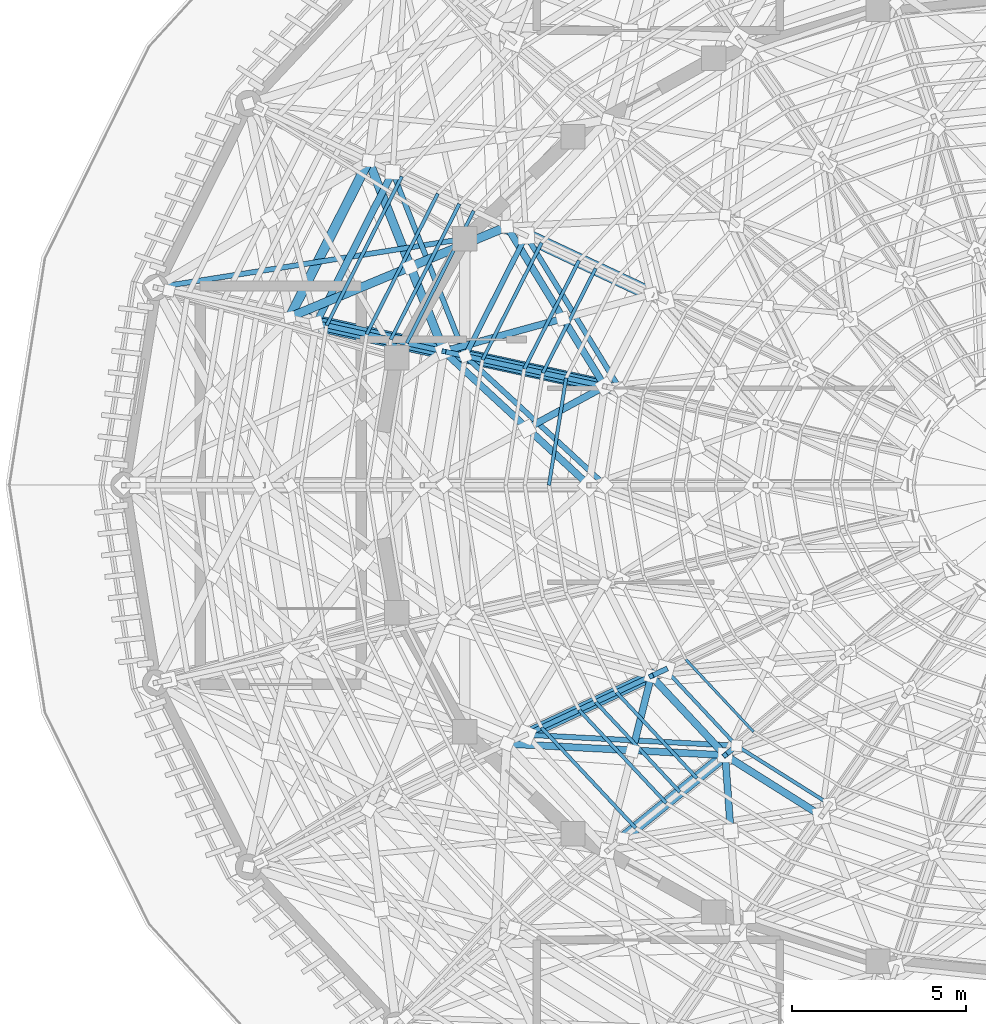
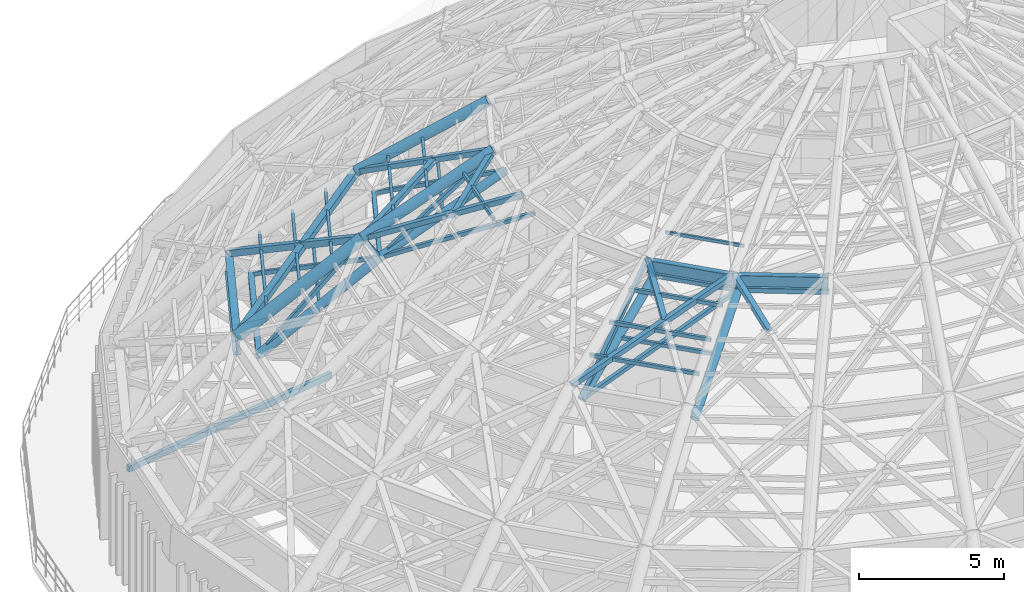
# One storey, part 8 of 50: 45 members, 3 beams.
"""IFC4 building model written with IfcOpenShell, lengths in metres."""

import ifcopenshell
import ifcopenshell.guid

model = None  # the IFC model being written
_history = None  # IfcOwnerHistory: only IFC2X3 demands one
_inside = {}  # id of a spatial element -> (the spatial element, [elements in it])
_under = {}  # id of a project, library or spatial element -> (it, [spatial elements below it])
_declared = {}  # id of a project -> (the project, [libraries it declares])
_typed = {}  # id of a type object -> (the type object, [elements of that type])
_made_of = {}  # id of a material, layer set ... -> (it, [elements and type objects made of it])


def new_model(schema):
    """Start an empty IFC model of exactly this schema.

    Asked for "IFC4X3", IfcOpenShell would pick the latest addendum, in which some entities
    have other attributes; the version numbers below select the first issue.
    IFC2X3 requires an IfcOwnerHistory on every rooted entity: one is made here for all.
    """
    global model, _history
    if schema == "IFC4X3":
        model = ifcopenshell.file(schema_version=(4, 3, 0, 0))
    else:
        model = ifcopenshell.file(schema=schema)
    _inside.clear()
    _under.clear()
    _declared.clear()
    _typed.clear()
    _made_of.clear()
    _history = None
    if model.schema == "IFC2X3":
        org = make("IfcOrganization", Name="unknown")
        user = make(
            "IfcPersonAndOrganization",
            ThePerson=make("IfcPerson", FamilyName="unknown"),
            TheOrganization=org,
        )
        app = make(
            "IfcApplication",
            ApplicationDeveloper=org,
            Version="unknown",
            ApplicationFullName="unknown",
            ApplicationIdentifier="unknown",
        )
        _history = make(
            "IfcOwnerHistory",
            OwningUser=user,
            OwningApplication=app,
            ChangeAction="ADDED",
            CreationDate=0,
        )
    return model


def make(cls, **values):
    """One entity of the class cls with the attributes given. An attribute that is None is left unset."""
    return model.create_entity(
        cls, **{name: value for name, value in values.items() if value is not None}
    )


def rooted(cls, **values):
    """An entity with a GlobalId (a new one), such as an element, a storey or a relation."""
    return make(cls, GlobalId=ifcopenshell.guid.new(), OwnerHistory=_history, **values)


def si_unit(unit_type, name, prefix=None):
    """IfcSIUnit, for example si_unit("LENGTHUNIT", "METRE", prefix="MILLI")."""
    return make("IfcSIUnit", UnitType=unit_type, Prefix=prefix, Name=name)


def assignment(units):
    """IfcUnitAssignment: the units of a project."""
    return None if units is None else make("IfcUnitAssignment", Units=units)


def point(xyz):
    """IfcCartesianPoint."""
    return None if xyz is None else make("IfcCartesianPoint", Coordinates=xyz)


def direction(xyz):
    """IfcDirection."""
    return None if xyz is None else make("IfcDirection", DirectionRatios=xyz)


def frame(location, z_axis=None, x_axis=None):
    """IfcAxis2Placement3D, a coordinate frame: its origin and axes. An axis left out is left unset."""
    return make(
        "IfcAxis2Placement3D",
        Location=point(location),
        Axis=direction(z_axis),
        RefDirection=direction(x_axis),
    )


def frame_2d(location, x_axis=None):
    """IfcAxis2Placement2D, a coordinate frame in the plane: its origin and x axis."""
    return make(
        "IfcAxis2Placement2D", Location=point(location), RefDirection=direction(x_axis)
    )


def origin():
    """The frame at (0, 0, 0) with its axes left unset."""
    return frame((0.0, 0.0, 0.0))


def origin_2d():
    """The frame at (0, 0) in the plane with its x axis left unset."""
    return frame_2d((0.0, 0.0))


def place(relative_to, where):
    """IfcLocalPlacement: puts the frame where relative to a parent placement (None: the world)."""
    return make(
        "IfcLocalPlacement", PlacementRelTo=relative_to, RelativePlacement=where
    )


def context(
    kind, dimensions, precision=None, world=None, true_north=None, identifier=None
):
    """IfcGeometricRepresentationContext, for example the 3D "Model" context."""
    return make(
        "IfcGeometricRepresentationContext",
        ContextIdentifier=identifier,
        ContextType=kind,
        CoordinateSpaceDimension=dimensions,
        Precision=precision,
        WorldCoordinateSystem=world,
        TrueNorth=true_north,
    )


def subcontext(parent, identifier, kind, view, scale=None):
    """IfcGeometricRepresentationSubContext, for example "Body" below "Model"."""
    return make(
        "IfcGeometricRepresentationSubContext",
        ContextIdentifier=identifier,
        ContextType=kind,
        ParentContext=parent,
        TargetScale=scale,
        TargetView=view,
    )


def project(units=None, contexts=None):
    """IfcProject with its units and contexts."""
    return rooted(
        "IfcProject",
        Name="project",
        RepresentationContexts=contexts,
        UnitsInContext=assignment(units),
    )


def spatial(cls, under=None, at=None, **own):
    """A site, building, storey or space (cls), placed at a placement, below another one or the project."""
    s = rooted(cls, ObjectPlacement=at, **own)
    if under is not None:
        _under.setdefault(under.id(), (under, []))[1].append(s)
    return s


def profile(cls, at=None, kind="AREA", **sizes):
    """A parametric profile (cls). Its sizes go by their IFC names, for example OverallWidth=200.0."""
    return make(cls, ProfileType=kind, Position=at, **sizes)


def hollow_rectangle(**sizes):
    """IfcRectangleHollowProfileDef."""
    return profile("IfcRectangleHollowProfileDef", **sizes)


def hollow_circle(**sizes):
    """IfcCircleHollowProfileDef."""
    return profile("IfcCircleHollowProfileDef", **sizes)


def i_section(**sizes):
    """IfcIShapeProfileDef."""
    return profile("IfcIShapeProfileDef", **sizes)


def extrude(swept, where, along, depth):
    """IfcExtrudedAreaSolid: the profile swept, set in the frame where, extruded along a direction by depth."""
    return make(
        "IfcExtrudedAreaSolid",
        SweptArea=swept,
        Position=where,
        ExtrudedDirection=direction(along),
        Depth=depth,
    )


def shape(context_of_items, identifier, shape_type, items):
    """IfcShapeRepresentation: the items that make up one representation, for example the "Body"."""
    return make(
        "IfcShapeRepresentation",
        ContextOfItems=context_of_items,
        RepresentationIdentifier=identifier,
        RepresentationType=shape_type,
        Items=items,
    )


def material(Name=None, Category=None):
    """IfcMaterial."""
    return make("IfcMaterial", Name=Name, Category=Category)


def material_profile(
    of_material, cross_section, Name=None, Category=None, Priority=None
):
    """IfcMaterialProfile: a cross section and its material."""
    return make(
        "IfcMaterialProfile",
        Name=Name,
        Material=of_material,
        Profile=cross_section,
        Priority=Priority,
        Category=Category,
    )


def profile_set(profiles, Name=None, composite=None):
    """IfcMaterialProfileSet."""
    return make(
        "IfcMaterialProfileSet",
        Name=Name,
        MaterialProfiles=profiles,
        CompositeProfile=composite,
    )


def made_of(thing, what):
    """Note that an element or type object is made of a material, layer set ...; save() writes the relation."""
    if what is not None:
        _made_of.setdefault(what.id(), (what, []))[1].append(thing)
    return thing


def type_object(cls, material=None, **own):
    """A type object (cls), such as IfcWallType, which elements share."""
    return made_of(rooted(cls, **own), material)


def element(
    cls,
    number,
    at=None,
    inside=None,
    cuts=None,
    type_object=None,
    material=None,
    context=None,
    identifier="Body",
    shape_type=None,
    held_by="IfcProductDefinitionShape",
    body=None,
    shapes=None,
    **own,
):
    """One element of the class cls, such as IfcWall. Its Tag is "e" and its number.

    at: its placement. inside: the storey or other place that contains it. cuts: it is an
    opening in that element (IfcRelVoidsElement). A single representation is given by context,
    identifier, shape_type and body (its items); several are given by shapes. held_by: the class
    of the entity that holds the representations. save() writes the other relations.
    """
    e = rooted(cls, Tag="e%d" % number, ObjectPlacement=at, **own)
    if body is not None:
        shapes = [shape(context, identifier, shape_type, body)]
    if shapes is not None:
        e.Representation = make(held_by, Representations=shapes)
    if inside is not None:
        _inside.setdefault(inside.id(), (inside, []))[1].append(e)
    if cuts is not None:
        rooted(
            "IfcRelVoidsElement", RelatingBuildingElement=cuts, RelatedOpeningElement=e
        )
    if type_object is not None:
        _typed.setdefault(type_object.id(), (type_object, []))[1].append(e)
    return made_of(e, material)


def aggregate(whole, parts):
    """IfcRelAggregates: a whole, such as a stair, and the parts it consists of."""
    return rooted("IfcRelAggregates", RelatingObject=whole, RelatedObjects=parts)


def save(model, path):
    """Write the relations noted so far, then the file.

    IfcRelAggregates (storeys below a building ...), IfcRelContainedInSpatialStructure (elements
    in a storey), IfcRelDefinesByType, IfcRelAssociatesMaterial and IfcRelDeclares: one each for
    every whole, place, type object, material and project.
    """
    for whole, parts in _under.values():
        aggregate(whole, parts)
    for where, things in _inside.values():
        rooted(
            "IfcRelContainedInSpatialStructure",
            RelatedElements=things,
            RelatingStructure=where,
        )
    for kind, things in _typed.values():
        rooted("IfcRelDefinesByType", RelatedObjects=things, RelatingType=kind)
    for what, things in _made_of.values():
        rooted("IfcRelAssociatesMaterial", RelatedObjects=things, RelatingMaterial=what)
    for by, libraries in _declared.values():
        rooted("IfcRelDeclares", RelatingContext=by, RelatedDefinitions=libraries)
    model.write(path)


model = new_model("IFC4")

# Units and contexts
model_context = context("Model", 3, precision=1e-05, world=origin(), true_north=direction((0.0, 1.0)))
body_context = subcontext(model_context, "Body", "Model", "MODEL_VIEW")
ifc_project = project(units=[si_unit("LENGTHUNIT", "METRE"), si_unit("AREAUNIT", "SQUARE_METRE"), si_unit("VOLUMEUNIT", "CUBIC_METRE"), si_unit("PLANEANGLEUNIT", "RADIAN"), si_unit("MASSUNIT", "GRAM", prefix="KILO")], contexts=[model_context])

# Site, building, storey
site_placement = place(None, origin())
site = spatial("IfcSite", under=ifc_project, at=site_placement, CompositionType="ELEMENT")
building_placement = place(site_placement, origin())
building = spatial("IfcBuilding", under=site, at=building_placement, Name="Cinderbank Siding Concert Hall", CompositionType="ELEMENT")
storey_placement = place(building_placement, frame((0.0, 0.0, 23.699951171875)))
storey = spatial("IfcBuildingStorey", under=building, at=storey_placement, Name="L06", CompositionType="ELEMENT", Elevation=23.699951171875)

# Beams
ifc_material_1 = material(Name="Structural steel AS/NZS 3679.1 Grade 350 (340 MPa)", Category="steel")
ifc_material_profile_1 = material_profile(ifc_material_1, i_section(OverallWidth=0.208984375, OverallDepth=0.532958984375, WebThickness=0.01025390625, FlangeThickness=0.015625, at=origin_2d()), Name="530UB92.4", Category="LoadBearing")
ifc_profile_set_1 = profile_set([ifc_material_profile_1], Name="Structural steel AS/NZS 3679.1 Grade 350 (340 MPa)")
beam_type_1 = type_object("IfcBeamType", Name="BM-UB530H 530UB92.4", PredefinedType="BEAM", material=ifc_profile_set_1)
beam_1_placement = place(storey_placement, frame((110.395263671875, 38.5, 13.733642578125), z_axis=(0.682867530153, -0.730542220726, 0.0), x_axis=(0.730542220726, 0.682867530153, 0.0)))
element("IfcBeam", 1, at=beam_1_placement, inside=storey, type_object=beam_type_1, Name="L06 Beam BM-UB530H #2084", PredefinedType="BEAM", context=body_context, shape_type="SweptSolid", body=[
    extrude(i_section(OverallWidth=0.208984375, OverallDepth=0.532958984375, WebThickness=0.01025390625, FlangeThickness=0.015625, at=origin_2d()), origin(), (0.0, 0.0, 1.0), 3.11865234375),
])
beam_2_placement = place(storey_placement, frame((112.52490234375, 36.2216796875, 13.733642578125), z_axis=(0.846132136799, -0.532973176694, 0.0), x_axis=(0.532973176694, 0.846132136799, 0.0)))
element("IfcBeam", 2, at=beam_2_placement, inside=storey, type_object=beam_type_1, Name="L06 Beam BM-UB530H #2085", PredefinedType="BEAM", context=body_context, shape_type="SweptSolid", body=[
    extrude(i_section(OverallWidth=0.208984375, OverallDepth=0.532958984375, WebThickness=0.01025390625, FlangeThickness=0.015625, at=origin_2d()), origin(), (0.0, 0.0, 1.0), 3.27978515625),
])
ifc_material_2 = material(Name="Structural steel welded plate section AS/NZS 3679.2 / AS/NZS 3678 Grade 350 (340 MPa)", Category="steel")
ifc_material_profile_2 = material_profile(ifc_material_2, i_section(OverallWidth=0.27490234375, OverallDepth=0.800048828125, WebThickness=0.010009765625, FlangeThickness=0.01611328125, at=origin_2d()), Name="800WB146", Category="LoadBearing")
ifc_profile_set_2 = profile_set([ifc_material_profile_2], Name="Structural steel welded plate section AS/NZS 3679.2 / AS/NZS 3678 Grade 350 (340 MPa)")
beam_type_2 = type_object("IfcBeamType", Name="BM-WB800 800WB146", PredefinedType="BEAM", material=ifc_profile_set_2)
beam_3_placement = place(storey_placement, frame((102.254638671875, 53.35009765625, 7.699951171875), z_axis=(-0.450804825768, -0.892622545685, 0.0), x_axis=(0.892622545685, -0.450804825768, 0.0)))
element("IfcBeam", 3, at=beam_3_placement, inside=storey, type_object=beam_type_2, Name="L06 Beam BM-WB800 #2043", PredefinedType="BEAM", context=body_context, shape_type="SweptSolid", body=[
    extrude(i_section(OverallWidth=0.27490234375, OverallDepth=0.800048828125, WebThickness=0.010009765625, FlangeThickness=0.01611328125, at=origin_2d()), origin(), (0.0, 0.0, 1.0), 5.052734375),
])

# Members
ifc_material_3 = material(Name="Structural steel hollow section AS/NZS 1163 Grade C350L0 (350 MPa)", Category="steel")
ifc_material_profile_3 = material_profile(ifc_material_3, hollow_rectangle(XDim=0.14990234375, YDim=0.14990234375, WallThickness=0.008056640625, at=origin_2d()), Name="150x150x8.0SHS", Category="LoadBearing")
ifc_profile_set_3 = profile_set([ifc_material_profile_3], Name="Structural steel hollow section AS/NZS 1163 Grade C350L0 (350 MPa)")
member_type_1 = type_object("IfcMemberType", Name="BR-SHS150 150x150x8.0SHS Roof Truss", PredefinedType="BRACE", material=ifc_profile_set_3)
member_1_placement = place(storey_placement, frame((102.94580078125, 53.022705078125, 7.150146484375), z_axis=(0.319742572915, -0.811180071069, 0.489644339666), x_axis=(0.930335319944, 0.366709956866, 0.0)))
element("IfcMember", 4, at=member_1_placement, inside=storey, type_object=member_type_1, Name="L06 Diagonal Brace BR-SHS150 #DBRI-BR-SHS150-L06-0947", PredefinedType="BRACE", context=body_context, shape_type="SweptSolid", body=[
    extrude(hollow_rectangle(XDim=0.14990234375, YDim=0.14990234375, WallThickness=0.008056640625, at=origin_2d()), origin(), (0.0, 0.0, 1.0), 6.53515625),
])
member_2_placement = place(storey_placement, frame((100.747802734375, 48.67041015625, 7.150146484375), z_axis=(0.655669606354, -0.145326583405, 0.740930193378), x_axis=(0.216394383414, 0.976306033387, 0.0)))
element("IfcMember", 5, at=member_2_placement, inside=storey, type_object=member_type_1, Name="L06 Diagonal Brace BR-SHS150 #DWBD-BR-SHS150-L06-0950", PredefinedType="BRACE", context=body_context, shape_type="SweptSolid", body=[
    extrude(hollow_rectangle(XDim=0.14990234375, YDim=0.14990234375, WallThickness=0.008056640625, at=origin_2d()), origin(), (0.0, 0.0, 1.0), 5.600830078125),
])
member_3_placement = place(storey_placement, frame((106.7900390625, 51.189208984375, 10.35009765625), z_axis=(0.4635618095, -0.757163440348, 0.460232520986), x_axis=(0.85285513817, 0.522147597234, 0.0)))
element("IfcMember", 6, at=member_3_placement, inside=storey, type_object=member_type_1, Name="L06 Diagonal Brace BR-SHS150 #DBRI-BR-SHS150-L06-1235", PredefinedType="BRACE", context=body_context, shape_type="SweptSolid", body=[
    extrude(hollow_rectangle(XDim=0.14990234375, YDim=0.14990234375, WallThickness=0.008056640625, at=origin_2d()), origin(), (0.0, 0.0, 1.0), 5.866455078125),
])
member_4_placement = place(storey_placement, frame((105.035400390625, 47.721435546875, 10.35009765625), z_axis=(0.731050843587, -0.158983918507, 0.663542596784), x_axis=(0.212505996554, 0.97715976249, 0.0)))
element("IfcMember", 7, at=member_4_placement, inside=storey, type_object=member_type_1, Name="L06 Diagonal Brace BR-SHS150 #DWBD-BR-SHS150-L06-1238", PredefinedType="BRACE", context=body_context, shape_type="SweptSolid", body=[
    extrude(hollow_rectangle(XDim=0.14990234375, YDim=0.14990234375, WallThickness=0.008056640625, at=origin_2d()), origin(), (0.0, 0.0, 1.0), 5.500732421875),
])
member_5_placement = place(storey_placement, frame((105.035400390625, 47.721435546875, 10.35009765625), z_axis=(-0.539773108895, 0.118450210008, 0.833435383616), x_axis=(-0.214344160509, -0.976758199789, 0.0)))
element("IfcMember", 8, at=member_5_placement, inside=storey, type_object=member_type_1, Name="L06 Diagonal Brace BR-SHS150 #DWBV-BR-SHS150-L06-1241", PredefinedType="BRACE", context=body_context, shape_type="SweptSolid", body=[
    extrude(hollow_rectangle(XDim=0.14990234375, YDim=0.14990234375, WallThickness=0.008056640625, at=origin_2d()), origin(), (0.0, 0.0, 1.0), 1.139892578125),
])
member_6_placement = place(storey_placement, frame((105.035400390625, 47.721435546875, 10.35009765625), z_axis=(0.659495450342, -0.608442631011, 0.441433251745), x_axis=(0.678086078663, 0.734982496338, 0.0)))
element("IfcMember", 9, at=member_6_placement, inside=storey, type_object=member_type_1, Name="L06 Diagonal Brace BR-SHS150 #DBRI-BR-SHS150-L06-1247", PredefinedType="BRACE", context=body_context, shape_type="SweptSolid", body=[
    extrude(hollow_rectangle(XDim=0.14990234375, YDim=0.14990234375, WallThickness=0.008056640625, at=origin_2d()), origin(), (0.0, 0.0, 1.0), 6.1162109375),
])
member_7_placement = place(storey_placement, frame((106.7900390625, 36.810791015625, 10.35009765625), z_axis=(0.667487033286, 0.312747530528, 0.675758864199), x_axis=(-0.424281475466, 0.905530358175, 0.0)))
element("IfcMember", 10, at=member_7_placement, inside=storey, type_object=member_type_1, Name="L06 Diagonal Brace BR-SHS150 #DWBD-BR-SHS150-L06-1274", PredefinedType="BRACE", context=body_context, shape_type="SweptSolid", body=[
    extrude(hollow_rectangle(XDim=0.14990234375, YDim=0.14990234375, WallThickness=0.008056640625, at=origin_2d()), origin(), (0.0, 0.0, 1.0), 5.401123046875),
])
member_8_placement = place(storey_placement, frame((106.7900390625, 36.810791015625, 10.35009765625), z_axis=(0.912563633328, -0.047633412445, 0.406151047206), x_axis=(0.052126397388, 0.998640495221, 0.0)))
element("IfcMember", 11, at=member_8_placement, inside=storey, type_object=member_type_1, Name="L06 Diagonal Brace BR-SHS150 #DBRI-BR-SHS150-L06-1283", PredefinedType="BRACE", context=body_context, shape_type="SweptSolid", body=[
    extrude(hollow_rectangle(XDim=0.14990234375, YDim=0.14990234375, WallThickness=0.008056640625, at=origin_2d()), origin(), (0.0, 0.0, 1.0), 6.647705078125),
])
member_9_placement = place(storey_placement, frame((110.801513671875, 38.6923828125, 13.050048828125), z_axis=(-0.386561752789, -0.183059291585, 0.903913329388), x_axis=(0.427992952164, -0.903782071574, 0.0)))
element("IfcMember", 12, at=member_9_placement, inside=storey, type_object=member_type_1, Name="L06 Diagonal Brace BR-SHS150 #DWBV-BR-SHS150-L06-1565", PredefinedType="BRACE", context=body_context, shape_type="SweptSolid", body=[
    extrude(hollow_rectangle(XDim=0.14990234375, YDim=0.14990234375, WallThickness=0.008056640625, at=origin_2d()), origin(), (0.0, 0.0, 1.0), 1.051025390625),
])
member_10_placement = place(storey_placement, frame((112.8564453125, 36.494140625, 13.050048828125), z_axis=(-0.318062435065, -0.261382678596, 0.911326167039), x_axis=(0.634909259299, -0.772586715169, 0.0)))
element("IfcMember", 13, at=member_10_placement, inside=storey, type_object=member_type_1, Name="L06 Diagonal Brace BR-SHS150 #DWBV-BR-SHS150-L06-1577", PredefinedType="BRACE", context=body_context, shape_type="SweptSolid", body=[
    extrude(hollow_rectangle(XDim=0.14990234375, YDim=0.14990234375, WallThickness=0.008056640625, at=origin_2d()), origin(), (0.0, 0.0, 1.0), 1.04248046875),
])
ifc_material_profile_4 = material_profile(ifc_material_3, hollow_rectangle(XDim=0.199951171875, YDim=0.199951171875, WallThickness=0.009033203125, at=origin_2d()), Name="200x200x9.0SHS", Category="LoadBearing")
ifc_profile_set_4 = profile_set([ifc_material_profile_4], Name="Structural steel hollow section AS/NZS 1163 Grade C350L0 (350 MPa)")
member_type_2 = type_object("IfcMemberType", Name="BR-SHS200 200x200x9.0SHS Roof Truss", PredefinedType="BRACE", material=ifc_profile_set_4)
member_11_placement = place(storey_placement, frame((106.23828125, 51.449951171875, 11.300048828125), z_axis=(0.467005448896, -0.762727021266, 0.447385070976), x_axis=(0.852836504456, 0.522178031582, 0.0)))
element("IfcMember", 14, at=member_11_placement, inside=storey, type_object=member_type_2, Name="L06 Diagonal Brace BR-SHS200 #DBRO-BR-SHS200-L06-1233", PredefinedType="BRACE", context=body_context, shape_type="SweptSolid", body=[
    extrude(hollow_rectangle(XDim=0.199951171875, YDim=0.199951171875, WallThickness=0.009033203125, at=origin_2d()), origin(), (0.0, 0.0, 1.0), 6.034912109375),
])
member_12_placement = place(storey_placement, frame((104.420166015625, 47.8564453125, 11.300048828125), z_axis=(0.883924074417, 0.243109044486, 0.399469927723), x_axis=(-0.26518682948, 0.964197047014, 0.0)))
element("IfcMember", 15, at=member_12_placement, inside=storey, type_object=member_type_2, Name="L06 Diagonal Brace BR-SHS200 #DBRO-BR-SHS200-L06-1234", PredefinedType="BRACE", context=body_context, shape_type="SweptSolid", body=[
    extrude(hollow_rectangle(XDim=0.199951171875, YDim=0.199951171875, WallThickness=0.009033203125, at=origin_2d()), origin(), (0.0, 0.0, 1.0), 3.87548828125),
])
member_13_placement = place(storey_placement, frame((104.420166015625, 47.8564453125, 11.300048828125), z_axis=(0.663951990184, -0.612568520352, 0.428867768205), x_axis=(0.678094653036, 0.734974585631, 0.0)))
element("IfcMember", 16, at=member_13_placement, inside=storey, type_object=member_type_2, Name="L06 Diagonal Brace BR-SHS200 #DBRO-BR-SHS200-L06-1245", PredefinedType="BRACE", context=body_context, shape_type="SweptSolid", body=[
    extrude(hollow_rectangle(XDim=0.199951171875, YDim=0.199951171875, WallThickness=0.009033203125, at=origin_2d()), origin(), (0.0, 0.0, 1.0), 6.295654296875),
])
member_14_placement = place(storey_placement, frame((106.83642578125, 45.64453125, 12.859619140625), z_axis=(0.801382165454, 0.434001227718, 0.411618220237), x_axis=(-0.476214618135, 0.879329083719, 0.0)))
element("IfcMember", 17, at=member_14_placement, inside=storey, type_object=member_type_2, Name="L06 Diagonal Brace BR-SHS200 #DBRO-BR-SHS200-L06-1246-S116", PredefinedType="BRACE", context=body_context, shape_type="SweptSolid", body=[
    extrude(hollow_rectangle(XDim=0.199951171875, YDim=0.199951171875, WallThickness=0.009033203125, at=origin_2d()), origin(), (0.0, 0.0, 1.0), 2.7705078125),
])
member_15_placement = place(storey_placement, frame((106.23828125, 36.550048828125, 11.300048828125), z_axis=(0.91778749702, -0.047938803242, 0.394167453575), x_axis=(0.052161901849, 0.998638641349, 0.0)))
element("IfcMember", 18, at=member_15_placement, inside=storey, type_object=member_type_2, Name="L06 Diagonal Brace BR-SHS200 #DBRO-BR-SHS200-L06-1281", PredefinedType="BRACE", context=body_context, shape_type="SweptSolid", body=[
    extrude(hollow_rectangle(XDim=0.199951171875, YDim=0.199951171875, WallThickness=0.009033203125, at=origin_2d()), origin(), (0.0, 0.0, 1.0), 6.849853515625),
])
member_16_placement = place(storey_placement, frame((109.861572265625, 36.37451171875, 12.8603515625), z_axis=(0.216061860675, 0.860491564059, 0.461380039171), x_axis=(-0.969892965569, 0.243531590022, 0.0)))
element("IfcMember", 19, at=member_16_placement, inside=storey, type_object=member_type_2, Name="L06 Diagonal Brace BR-SHS200 #DBRO-BR-SHS200-L06-1282-S119", PredefinedType="BRACE", context=body_context, shape_type="SweptSolid", body=[
    extrude(hollow_rectangle(XDim=0.199951171875, YDim=0.199951171875, WallThickness=0.009033203125, at=origin_2d()), origin(), (0.0, 0.0, 1.0), 2.469970703125),
])
member_17_placement = place(storey_placement, frame((112.68310546875, 34.059326171875, 12.86083984375), z_axis=(-0.064594301091, 0.882888464146, 0.465118840883), x_axis=(-0.997334323225, -0.072967442864, 0.0)))
element("IfcMember", 20, at=member_17_placement, inside=storey, type_object=member_type_2, Name="L06 Diagonal Brace BR-SHS200 #DBRO-BR-SHS200-L06-1294-S120", PredefinedType="BRACE", context=body_context, shape_type="SweptSolid", body=[
    extrude(hollow_rectangle(XDim=0.199951171875, YDim=0.199951171875, WallThickness=0.009033203125, at=origin_2d()), origin(), (0.0, 0.0, 1.0), 2.44921875),
])
ifc_material_profile_5 = material_profile(ifc_material_3, hollow_rectangle(XDim=0.25, YDim=0.25, WallThickness=0.010009765625, at=origin_2d()), Name="250x250x10.0SHS", Category="LoadBearing")
ifc_profile_set_5 = profile_set([ifc_material_profile_5], Name="Structural steel hollow section AS/NZS 1163 Grade C350L0 (350 MPa)")
member_type_3 = type_object("IfcMemberType", Name="BR-SHS250 250x250x10.0SHS Roof Truss", PredefinedType="BRACE", material=ifc_profile_set_5)
member_18_placement = place(storey_placement, frame((102.254638671875, 53.35009765625, 8.10009765625), z_axis=(0.322426023845, -0.817951565791, 0.476441701752), x_axis=(0.930329758062, 0.366724066928, 0.0)))
element("IfcMember", 21, at=member_18_placement, inside=storey, type_object=member_type_3, Name="L06 Diagonal Brace BR-SHS250 #DBRO-BR-SHS250-L06-0945", PredefinedType="BRACE", context=body_context, shape_type="SweptSolid", body=[
    extrude(hollow_rectangle(XDim=0.25, YDim=0.25, WallThickness=0.010009765625, at=origin_2d()), origin(), (0.0, 0.0, 1.0), 6.71630859375),
])
member_19_placement = place(storey_placement, frame((99.976806640625, 48.83984375, 8.10009765625), z_axis=(0.834800890266, 0.348000061655, 0.426618600976), x_axis=(-0.384772105455, 0.923011607112, 0.0)))
element("IfcMember", 22, at=member_19_placement, inside=storey, type_object=member_type_3, Name="L06 Diagonal Brace BR-SHS250 #DBRO-BR-SHS250-L06-0946", PredefinedType="BRACE", context=body_context, shape_type="SweptSolid", body=[
    extrude(hollow_rectangle(XDim=0.25, YDim=0.25, WallThickness=0.010009765625, at=origin_2d()), origin(), (0.0, 0.0, 1.0), 4.158203125),
])
member_20_placement = place(storey_placement, frame((103.472900390625, 50.297119140625, 9.88671875), z_axis=(0.834786362897, 0.348005756652, 0.426642381461), x_axis=(-0.384783174657, 0.923006992661, 0.0)))
element("IfcMember", 23, at=member_20_placement, inside=storey, type_object=member_type_3, Name="L06 Diagonal Brace BR-SHS250 #DBRO-BR-SHS250-L06-0946-S91", PredefinedType="BRACE", context=body_context, shape_type="SweptSolid", body=[
    extrude(hollow_rectangle(XDim=0.25, YDim=0.25, WallThickness=0.010009765625, at=origin_2d()), origin(), (0.0, 0.0, 1.0), 3.312744140625),
])
ifc_material_profile_6 = material_profile(ifc_material_3, hollow_circle(Radius=0.161865234375, WallThickness=0.0126953125, at=origin_2d()), Name="323.9x12.7CHS", Category="LoadBearing")
ifc_profile_set_6 = profile_set([ifc_material_profile_6], Name="Structural steel hollow section AS/NZS 1163 Grade C350L0 (350 MPa)")
member_type_4 = type_object("IfcMemberType", Name="DR-CHS323 323.9x12.7CHS Roof Truss", PredefinedType="RAFTER", material=ifc_profile_set_6)
member_21_placement = place(storey_placement, frame((105.035400390625, 47.721435546875, 10.35009765625), z_axis=(0.84168436413, -0.183254426109, 0.507922480788), x_axis=(0.212739533532, 0.977108945242, 0.0)))
element("IfcMember", 24, at=member_21_placement, inside=storey, type_object=member_type_4, Name="L06 Roof Truss Member DR-CHS323 #1237", PredefinedType="RAFTER", context=body_context, shape_type="SweptSolid", body=[
    extrude(hollow_circle(Radius=0.161865234375, WallThickness=0.0126953125, at=origin_2d()), origin(), (0.0, 0.0, 1.0), 5.315673828125),
])
member_22_placement = place(storey_placement, frame((106.7900390625, 36.810791015625, 10.35009765625), z_axis=(0.773125439338, 0.362636343557, 0.520357509199), x_axis=(-0.424658323183, 0.905353692516, 0.0)))
element("IfcMember", 25, at=member_22_placement, inside=storey, type_object=member_type_4, Name="L06 Roof Truss Member DR-CHS323 #1273", PredefinedType="RAFTER", context=body_context, shape_type="SweptSolid", body=[
    extrude(hollow_circle(Radius=0.161865234375, WallThickness=0.0126953125, at=origin_2d()), origin(), (0.0, 0.0, 1.0), 5.188720703125),
])
member_23_placement = place(storey_placement, frame((109.5810546875, 33.8330078125, 10.35009765625), z_axis=(0.653777773802, 0.531170075614, 0.53891833635), x_axis=(-0.630575201595, 0.776128156385, 0.0)))
element("IfcMember", 26, at=member_23_placement, inside=storey, type_object=member_type_4, Name="L06 Roof Truss Member DR-CHS323 #1285", PredefinedType="RAFTER", context=body_context, shape_type="SweptSolid", body=[
    extrude(hollow_circle(Radius=0.161865234375, WallThickness=0.0126953125, at=origin_2d()), origin(), (0.0, 0.0, 1.0), 5.010009765625),
])
ifc_material_profile_7 = material_profile(ifc_material_3, hollow_circle(Radius=0.177734375, WallThickness=0.0126953125, at=origin_2d()), Name="355.6x12.7CHS", Category="LoadBearing")
ifc_profile_set_7 = profile_set([ifc_material_profile_7], Name="Structural steel hollow section AS/NZS 1163 Grade C350L0 (350 MPa)")
member_type_5 = type_object("IfcMemberType", Name="DR-CHS355 355.6x12.7CHS Roof Truss", PredefinedType="RAFTER", material=ifc_profile_set_7)
member_24_placement = place(storey_placement, frame((100.747802734375, 48.67041015625, 7.150146484375), z_axis=(0.789093349478, -0.174650145167, 0.58892190705), x_axis=(0.216100368757, 0.976371154133, 0.0)))
element("IfcMember", 27, at=member_24_placement, inside=storey, type_object=member_type_5, Name="L06 Roof Truss Member DR-CHS355 #949", PredefinedType="RAFTER", context=body_context, shape_type="SweptSolid", body=[
    extrude(hollow_circle(Radius=0.177734375, WallThickness=0.0126953125, at=origin_2d()), origin(), (0.0, 0.0, 1.0), 5.43359375),
])
ifc_material_profile_8 = material_profile(ifc_material_3, hollow_circle(Radius=0.203125, WallThickness=0.01611328125, at=origin_2d()), Name="406.4x16.0CHS", Category="LoadBearing")
ifc_profile_set_8 = profile_set([ifc_material_profile_8], Name="Structural steel hollow section AS/NZS 1163 Grade C350L0 (350 MPa)")
member_type_6 = type_object("IfcMemberType", Name="DR-CHS406 406.4x16.0CHS Roof Truss", PredefinedType="RAFTER", material=ifc_profile_set_8)
member_25_placement = place(storey_placement, frame((106.23828125, 51.449951171875, 11.300048828125), z_axis=(0.780421117577, -0.366078784641, 0.506881842913), x_axis=(0.424677707241, 0.905344600124, 0.0)))
element("IfcMember", 28, at=member_25_placement, inside=storey, type_object=member_type_6, Name="L06 Roof Truss Member DR-CHS406 #1224", PredefinedType="RAFTER", context=body_context, shape_type="SweptSolid", body=[
    extrude(hollow_circle(Radius=0.203125, WallThickness=0.01611328125, at=origin_2d()), origin(), (0.0, 0.0, 1.0), 5.32666015625),
])
member_26_placement = place(storey_placement, frame((104.420166015625, 47.8564453125, 11.300048828125), z_axis=(0.849254264776, -0.18491213653, 0.494544937821), x_axis=(0.212750040998, 0.977106657461, 0.0)))
element("IfcMember", 29, at=member_26_placement, inside=storey, type_object=member_type_6, Name="L06 Roof Truss Member DR-CHS406 #1236", PredefinedType="RAFTER", context=body_context, shape_type="SweptSolid", body=[
    extrude(hollow_circle(Radius=0.203125, WallThickness=0.01611328125, at=origin_2d()), origin(), (0.0, 0.0, 1.0), 5.45947265625),
])
ifc_material_profile_9 = material_profile(ifc_material_3, hollow_circle(Radius=0.228515625, WallThickness=0.01611328125, at=origin_2d()), Name="457.0x16.0CHS", Category="LoadBearing")
ifc_profile_set_9 = profile_set([ifc_material_profile_9], Name="Structural steel hollow section AS/NZS 1163 Grade C350L0 (350 MPa)")
member_type_7 = type_object("IfcMemberType", Name="DR-CHS457 457.0x16.0CHS Roof Truss", PredefinedType="RAFTER", material=ifc_profile_set_9)
member_27_placement = place(storey_placement, frame((99.976806640625, 48.83984375, 8.10009765625), z_axis=(0.79869265842, -0.17676560594, 0.575190366698), x_axis=(0.216089698952, 0.976373515621, 0.0)))
element("IfcMember", 30, at=member_27_placement, inside=storey, type_object=member_type_7, Name="L06 Roof Truss Member DR-CHS457 #948", PredefinedType="RAFTER", context=body_context, shape_type="SweptSolid", body=[
    extrude(hollow_circle(Radius=0.228515625, WallThickness=0.01611328125, at=origin_2d()), origin(), (0.0, 0.0, 1.0), 5.563232421875),
])
ifc_material_profile_10 = material_profile(ifc_material_3, hollow_rectangle(XDim=0.074951171875, YDim=0.125, WallThickness=0.0048828125, at=origin_2d()), Name="125x75x5.0RHS", Category="LoadBearing")
ifc_profile_set_10 = profile_set([ifc_material_profile_10], Name="Structural steel hollow section AS/NZS 1163 Grade C350L0 (350 MPa)")
member_type_8 = type_object("IfcMemberType", Name="PR-RHS125 125x75x5.0RHS Roof Truss", PredefinedType="PURLIN", material=ifc_profile_set_10)
member_28_placement = place(storey_placement, frame((111.39306640625, 38.97998046875, 14.47998046875), z_axis=(0.68336207894, -0.730079632004, 0.0), x_axis=(0.730079632004, 0.68336207894, 0.0)))
element("IfcMember", 31, at=member_28_placement, inside=storey, type_object=member_type_8, Name="L06 Roof Truss Member PR-RHS125 #1566", PredefinedType="PURLIN", context=body_context, shape_type="SweptSolid", body=[
    extrude(hollow_rectangle(XDim=0.074951171875, YDim=0.125, WallThickness=0.0048828125, at=origin_2d()), origin(), (0.0, 0.0, 1.0), 2.84814453125),
])
ifc_material_profile_11 = material_profile(ifc_material_3, hollow_rectangle(XDim=0.10009765625, YDim=0.14990234375, WallThickness=0.006103515625, at=origin_2d()), Name="150x100x6.0RHS", Category="LoadBearing")
ifc_profile_set_11 = profile_set([ifc_material_profile_11], Name="Structural steel hollow section AS/NZS 1163 Grade C350L0 (350 MPa)")
member_type_9 = type_object("IfcMemberType", Name="PR-RHS150 150x100x6.0RHS Roof Truss", PredefinedType="PURLIN", material=ifc_profile_set_11)
member_29_placement = place(storey_placement, frame((108.795654296875, 50.248291015625, 11.699951171875), z_axis=(-0.451055615368, -0.892495844161, 0.0), x_axis=(0.892495844161, -0.451055615368, 0.0)))
element("IfcMember", 32, at=member_29_placement, inside=storey, type_object=member_type_9, Name="L06 Roof Truss Member PR-RHS150 #1228", PredefinedType="PURLIN", context=body_context, shape_type="SweptSolid", body=[
    extrude(hollow_rectangle(XDim=0.10009765625, YDim=0.14990234375, WallThickness=0.006103515625, at=origin_2d()), origin(), (0.0, 0.0, 1.0), 3.376953125),
])
member_30_placement = place(storey_placement, frame((107.236083984375, 50.98193359375, 11.947998046875), z_axis=(-0.451271460716, -0.892386726001, 0.0), x_axis=(0.892386726001, -0.451271460716, 0.0)))
element("IfcMember", 33, at=member_30_placement, inside=storey, type_object=member_type_9, Name="L06 Roof Truss Member PR-RHS150 #1230", PredefinedType="PURLIN", context=body_context, shape_type="SweptSolid", body=[
    extrude(hollow_rectangle(XDim=0.10009765625, YDim=0.14990234375, WallThickness=0.006103515625, at=origin_2d()), origin(), (0.0, 0.0, 1.0), 3.774169921875),
])
member_31_placement = place(storey_placement, frame((108.31689453125, 50.47509765625, 12.650146484375), z_axis=(-0.451088218669, -0.892479366136, 0.0), x_axis=(0.892479366136, -0.451088218669, 0.0)))
element("IfcMember", 34, at=member_31_placement, inside=storey, type_object=member_type_9, Name="L06 Roof Truss Member PR-RHS150 #1231", PredefinedType="PURLIN", context=body_context, shape_type="SweptSolid", body=[
    extrude(hollow_rectangle(XDim=0.10009765625, YDim=0.14990234375, WallThickness=0.006103515625, at=origin_2d()), origin(), (0.0, 0.0, 1.0), 3.49951171875),
])
member_32_placement = place(storey_placement, frame((107.94384765625, 47.08935546875, 13.35205078125), z_axis=(-0.158474351544, -0.987363094258, 0.0), x_axis=(0.987363094258, -0.158474351544, 0.0)))
element("IfcMember", 35, at=member_32_placement, inside=storey, type_object=member_type_9, Name="L06 Roof Truss Member PR-RHS150 #1244", PredefinedType="PURLIN", context=body_context, shape_type="SweptSolid", body=[
    extrude(hollow_rectangle(XDim=0.10009765625, YDim=0.14990234375, WallThickness=0.006103515625, at=origin_2d()), origin(), (0.0, 0.0, 1.0), 3.12890625),
])
member_33_placement = place(storey_placement, frame((108.795654296875, 37.751708984375, 11.699951171875), z_axis=(0.683448492996, -0.729998737959, 0.0), x_axis=(0.729998737959, 0.683448492996, 0.0)))
element("IfcMember", 36, at=member_33_placement, inside=storey, type_object=member_type_9, Name="L06 Roof Truss Member PR-RHS150 #1276", PredefinedType="PURLIN", context=body_context, shape_type="SweptSolid", body=[
    extrude(hollow_rectangle(XDim=0.10009765625, YDim=0.14990234375, WallThickness=0.006103515625, at=origin_2d()), origin(), (0.0, 0.0, 1.0), 3.54541015625),
])
member_34_placement = place(storey_placement, frame((107.236083984375, 37.01806640625, 11.947998046875), z_axis=(0.683658272234, -0.729802279255, 0.0), x_axis=(0.729802279255, 0.683658272234, 0.0)))
element("IfcMember", 37, at=member_34_placement, inside=storey, type_object=member_type_9, Name="L06 Roof Truss Member PR-RHS150 #1278", PredefinedType="PURLIN", context=body_context, shape_type="SweptSolid", body=[
    extrude(hollow_rectangle(XDim=0.10009765625, YDim=0.14990234375, WallThickness=0.006103515625, at=origin_2d()), origin(), (0.0, 0.0, 1.0), 3.962890625),
])
member_35_placement = place(storey_placement, frame((108.31689453125, 37.52490234375, 12.650146484375), z_axis=(0.68346572972, -0.729982599997, 0.0), x_axis=(0.729982599997, 0.68346572972, 0.0)))
element("IfcMember", 38, at=member_35_placement, inside=storey, type_object=member_type_9, Name="L06 Roof Truss Member PR-RHS150 #1279", PredefinedType="PURLIN", context=body_context, shape_type="SweptSolid", body=[
    extrude(hollow_rectangle(XDim=0.10009765625, YDim=0.14990234375, WallThickness=0.006103515625, at=origin_2d()), origin(), (0.0, 0.0, 1.0), 3.673828125),
])
member_36_placement = place(storey_placement, frame((109.397705078125, 38.031982421875, 13.35205078125), z_axis=(0.683165814119, -0.730263288424, 0.0), x_axis=(0.730263288424, 0.683165814119, 0.0)))
element("IfcMember", 39, at=member_36_placement, inside=storey, type_object=member_type_9, Name="L06 Roof Truss Member PR-RHS150 #1280", PredefinedType="PURLIN", context=body_context, shape_type="SweptSolid", body=[
    extrude(hollow_rectangle(XDim=0.10009765625, YDim=0.14990234375, WallThickness=0.006103515625, at=origin_2d()), origin(), (0.0, 0.0, 1.0), 3.385009765625),
])
ifc_material_profile_12 = material_profile(ifc_material_3, hollow_rectangle(XDim=0.10009765625, YDim=0.199951171875, WallThickness=0.008056640625, at=origin_2d()), Name="200x100x8.0RHS", Category="LoadBearing")
ifc_profile_set_12 = profile_set([ifc_material_profile_12], Name="Structural steel hollow section AS/NZS 1163 Grade C350L0 (350 MPa)")
member_type_10 = type_object("IfcMemberType", Name="PR-RHS200 200x100x8.0RHS Roof Truss", PredefinedType="PURLIN", material=ifc_profile_set_12)
member_37_placement = place(storey_placement, frame((104.867919921875, 52.10595703125, 8.75), z_axis=(-0.451087798858, -0.892479578322, 0.0), x_axis=(0.892479578322, -0.451087798858, 0.0)))
element("IfcMember", 40, at=member_37_placement, inside=storey, type_object=member_type_10, Name="L06 Roof Truss Member PR-RHS200 #940", PredefinedType="PURLIN", context=body_context, shape_type="SweptSolid", body=[
    extrude(hollow_rectangle(XDim=0.10009765625, YDim=0.199951171875, WallThickness=0.008056640625, at=origin_2d()), origin(), (0.0, 0.0, 1.0), 4.38134765625),
])
member_38_placement = place(storey_placement, frame((103.210693359375, 52.89404296875, 8.8681640625), z_axis=(-0.450948119115, -0.892550163222, 0.0), x_axis=(0.892550163222, -0.450948119115, 0.0)))
element("IfcMember", 41, at=member_38_placement, inside=storey, type_object=member_type_10, Name="L06 Roof Truss Member PR-RHS200 #942", PredefinedType="PURLIN", context=body_context, shape_type="SweptSolid", body=[
    extrude(hollow_rectangle(XDim=0.10009765625, YDim=0.199951171875, WallThickness=0.008056640625, at=origin_2d()), origin(), (0.0, 0.0, 1.0), 4.806396484375),
])
member_39_placement = place(storey_placement, frame((104.246337890625, 52.39990234375, 9.699951171875), z_axis=(-0.451081348007, -0.89248283876, 0.0), x_axis=(0.89248283876, -0.451081348007, 0.0)))
element("IfcMember", 42, at=member_39_placement, inside=storey, type_object=member_type_10, Name="L06 Roof Truss Member PR-RHS200 #943", PredefinedType="PURLIN", context=body_context, shape_type="SweptSolid", body=[
    extrude(hollow_rectangle(XDim=0.10009765625, YDim=0.199951171875, WallThickness=0.008056640625, at=origin_2d()), origin(), (0.0, 0.0, 1.0), 4.539794921875),
])
member_40_placement = place(storey_placement, frame((105.2822265625, 51.906005859375, 10.531982421875), z_axis=(-0.451253681826, -0.892395716394, 0.0), x_axis=(0.892395716394, -0.451253681826, 0.0)))
element("IfcMember", 43, at=member_40_placement, inside=storey, type_object=member_type_10, Name="L06 Roof Truss Member PR-RHS200 #944", PredefinedType="PURLIN", context=body_context, shape_type="SweptSolid", body=[
    extrude(hollow_rectangle(XDim=0.10009765625, YDim=0.199951171875, WallThickness=0.008056640625, at=origin_2d()), origin(), (0.0, 0.0, 1.0), 4.273681640625),
])
member_41_placement = place(storey_placement, frame((110.801513671875, 38.6923828125, 13.050048828125), z_axis=(0.68289329062, -0.730518140518, 0.0), x_axis=(0.730518140518, 0.68289329062, 0.0)))
element("IfcMember", 44, at=member_41_placement, inside=storey, type_object=member_type_10, Name="L06 Roof Truss Member PR-RHS200 #1275", PredefinedType="PURLIN", context=body_context, shape_type="SweptSolid", body=[
    extrude(hollow_rectangle(XDim=0.10009765625, YDim=0.199951171875, WallThickness=0.008056640625, at=origin_2d()), origin(), (0.0, 0.0, 1.0), 3.009033203125),
])
member_42_placement = place(storey_placement, frame((112.8564453125, 36.494140625, 13.050048828125), z_axis=(0.846107868169, -0.533011702894, 0.0), x_axis=(0.533011702894, 0.846107868169, 0.0)))
element("IfcMember", 45, at=member_42_placement, inside=storey, type_object=member_type_10, Name="L06 Roof Truss Member PR-RHS200 #1287", PredefinedType="PURLIN", context=body_context, shape_type="SweptSolid", body=[
    extrude(hollow_rectangle(XDim=0.10009765625, YDim=0.199951171875, WallThickness=0.008056640625, at=origin_2d()), origin(), (0.0, 0.0, 1.0), 3.1650390625),
])
ifc_material_profile_13 = material_profile(ifc_material_3, hollow_rectangle(XDim=0.14990234375, YDim=0.25, WallThickness=0.009033203125, at=origin_2d()), Name="250x150x9.0RHS", Category="LoadBearing")
ifc_profile_set_13 = profile_set([ifc_material_profile_13], Name="Structural steel hollow section AS/NZS 1163 Grade C350L0 (350 MPa)")
member_type_11 = type_object("IfcMemberType", Name="PR-RHS250 250x150x9.0RHS Roof Truss", PredefinedType="PURLIN", material=ifc_profile_set_13)
member_43_placement = place(storey_placement, frame((106.7900390625, 51.189208984375, 10.35009765625), z_axis=(-0.451480187506, -0.892281144197, 0.0), x_axis=(0.892281144197, -0.451480187506, 0.0)))
element("IfcMember", 46, at=member_43_placement, inside=storey, type_object=member_type_11, Name="L06 Roof Truss Member PR-RHS250 #939", PredefinedType="PURLIN", context=body_context, shape_type="SweptSolid", body=[
    extrude(hollow_rectangle(XDim=0.14990234375, YDim=0.25, WallThickness=0.009033203125, at=origin_2d()), origin(), (0.0, 0.0, 1.0), 3.886474609375),
])
ifc_material_profile_14 = material_profile(ifc_material_3, hollow_rectangle(XDim=0.199951171875, YDim=0.300048828125, WallThickness=0.010009765625, at=origin_2d()), Name="300x200x10.0RHS", Category="LoadBearing")
ifc_profile_set_14 = profile_set([ifc_material_profile_14], Name="Structural steel hollow section AS/NZS 1163 Grade C350L0 (350 MPa)")
member_type_12 = type_object("IfcMemberType", Name="PR-RHS300 300x200x10.0RHS Roof Truss", PredefinedType="PURLIN", material=ifc_profile_set_14)
member_44_placement = place(storey_placement, frame((102.94580078125, 53.022705078125, 7.150146484375), z_axis=(-0.450795133604, -0.892627440492, 0.0), x_axis=(0.892627440492, -0.450795133604, 0.0)))
element("IfcMember", 47, at=member_44_placement, inside=storey, type_object=member_type_12, Name="L06 Roof Truss Member PR-RHS300 #651", PredefinedType="PURLIN", context=body_context, shape_type="SweptSolid", body=[
    extrude(hollow_rectangle(XDim=0.199951171875, YDim=0.300048828125, WallThickness=0.010009765625, at=origin_2d()), origin(), (0.0, 0.0, 1.0), 4.875732421875),
])
ifc_material_profile_15 = material_profile(ifc_material_3, hollow_rectangle(XDim=0.14990234375, YDim=0.25, WallThickness=0.009033203125, at=origin_2d()), Name="250x150x9.0RHS", Category="LoadBearing")
ifc_profile_set_15 = profile_set([ifc_material_profile_15], Name="Structural steel hollow section AS/NZS 1163 Grade C350L0 (350 MPa)")
member_type_13 = type_object("IfcMemberType", Name="TR-RHS250 250x150x9.0RHS Roof Truss", PredefinedType="RAFTER", material=ifc_profile_set_15)
member_45_placement = place(storey_placement, frame((105.02587890625, 51.10009765625, 3.35009765625), z_axis=(-0.987784236991, -0.155827793262, 0.0), x_axis=(0.155827793262, -0.987784236991, 0.0)))
element("IfcMember", 48, at=member_45_placement, inside=storey, type_object=member_type_13, Name="L06 Roof Truss Member TR-RHS250 #2346", PredefinedType="RAFTER", context=body_context, shape_type="SweptSolid", body=[
    extrude(hollow_rectangle(XDim=0.14990234375, YDim=0.25, WallThickness=0.009033203125, at=origin_2d()), origin(), (0.0, 0.0, 1.0), 9.022705078125),
])

save(model, "model.ifc")
